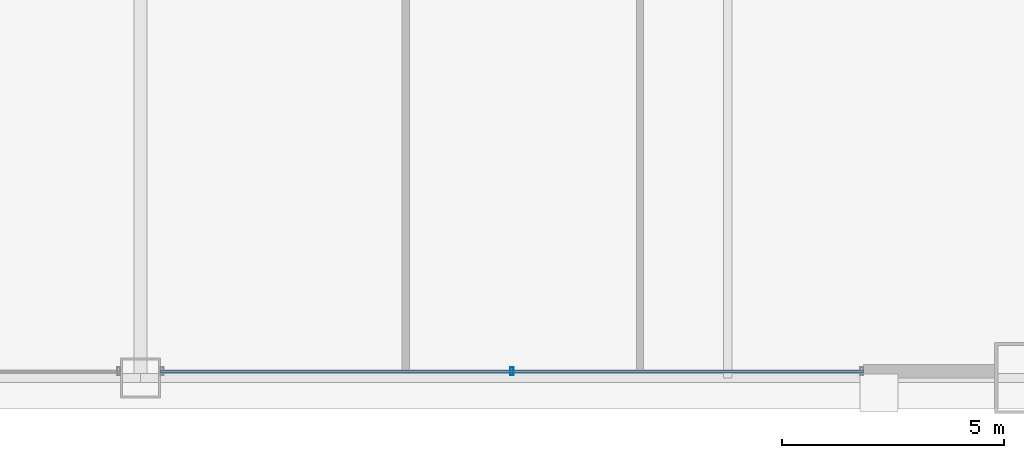
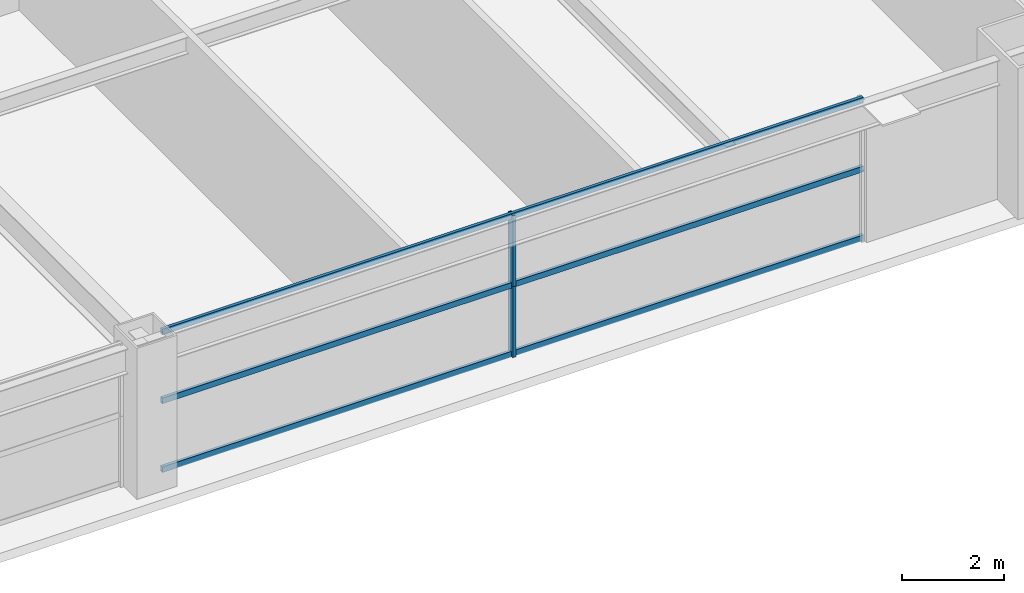
# One storey, part 14 of 39: 5 members, 1 element without a shape of its own.
"""IFC4 building model written with IfcOpenShell, lengths in metres."""

from ifc_helpers import new_model, si_unit, direction, frame, origin, origin_2d, place, context, subcontext, project, spatial, hollow_rectangle, extrude, source, transform, mapped, material, layer, layer_set, material_profile, profile_set, type_object, element, aggregate, save


model = new_model("IFC4")

# Units and contexts
model_context = context("Model", 3, precision=1e-05, world=origin(), true_north=direction((0.0, 1.0)))
body_context = subcontext(model_context, "Body", "Model", "MODEL_VIEW")
ifc_project = project(units=[si_unit("LENGTHUNIT", "METRE"), si_unit("AREAUNIT", "SQUARE_METRE"), si_unit("VOLUMEUNIT", "CUBIC_METRE"), si_unit("PLANEANGLEUNIT", "RADIAN"), si_unit("MASSUNIT", "GRAM", prefix="KILO"), si_unit("THERMODYNAMICTEMPERATUREUNIT", "KELVIN"), si_unit("POWERUNIT", "WATT")], contexts=[model_context])

# Site, building, storey
site_placement = place(None, origin())
site = spatial("IfcSite", under=ifc_project, at=site_placement, CompositionType="ELEMENT")
building_placement = place(site_placement, origin())
building = spatial("IfcBuilding", under=site, at=building_placement, Name="Yuzanri Waterfront Tower", CompositionType="ELEMENT")
storey_placement = place(building_placement, frame((0.0, 0.0, 134.39990234375)))
storey = spatial("IfcBuildingStorey", under=building, at=storey_placement, Name="L35", CompositionType="ELEMENT", Elevation=134.39990234375)

# Curtain wall, members
ifc_material_1 = material(Name="Anodized Architectural Bronze", Category="metal")
ifc_layer = layer(ifc_material_1, 0.159912109375)
ifc_layer_set = layer_set([ifc_layer], Name="Anodized Architectural Bronze")
curtain_wall_type = type_object("IfcCurtainWallType", Name="Anodized Bronze Hotel Upper-Tier Solar-Control Unitized Curtain Wall 7800", PredefinedType="NOTDEFINED", material=ifc_layer_set)
curtain_wall_placement = place(storey_placement, origin())
curtain_wall = element("IfcCurtainWall", 1, at=curtain_wall_placement, inside=storey, type_object=curtain_wall_type, Name="L35 Curtain Wall CW-L35-SR", PredefinedType="NOTDEFINED")
ifc_material_2 = material(Name="Anodized Architectural Bronze", Category="metal")
ifc_material_profile_1 = material_profile(ifc_material_2, hollow_rectangle(XDim=0.070068359375, YDim=0.179931640625, WallThickness=0.00390625, at=origin_2d()), Name="CWM 70x180")
ifc_profile_set_1 = profile_set([ifc_material_profile_1], Name="Anodized Architectural Bronze")
member_type_1 = type_object("IfcMemberType", Name="Anodized Bronze Standard Curtain-Wall Mullion 70x180", PredefinedType="MULLION", material=ifc_profile_set_1)
shared_shape_1 = source(origin(), body_context, "Body", "SweptSolid", [
    extrude(hollow_rectangle(XDim=0.070068359375, YDim=0.179931640625, WallThickness=0.00390625, at=origin_2d()), origin(), (0.0, 0.0, 1.0), 1.68798828125),
])
member_1_placement = place(storey_placement, frame((45.35009765625, 2.35009765625, 0.0), z_axis=(0.0, 0.0, 1.0), x_axis=(1.0, 0.0, 0.0)))
member_1 = element("IfcMember", 2, at=member_1_placement, type_object=member_type_1, Name="CW-L35-SR Lower Mullion 01", PredefinedType="MULLION", context=body_context, shape_type="MappedRepresentation", body=[
    mapped(shared_shape_1, transform((0.0, 0.0, 0.0), scale=1.0)),
])
member_2_placement = place(storey_placement, frame((45.35009765625, 2.35009765625, 1.692138671875), z_axis=(0.0, 0.0, 1.0), x_axis=(1.0, 0.0, 0.0)))
member_2 = element("IfcMember", 3, at=member_2_placement, type_object=member_type_1, Name="CW-L35-SR Upper Mullion 01", PredefinedType="MULLION", context=body_context, shape_type="MappedRepresentation", body=[
    mapped(shared_shape_1, transform((0.0, 0.0, 0.0), scale=1.0)),
])
ifc_material_3 = material(Name="Anodized Architectural Bronze", Category="metal")
ifc_material_profile_2 = material_profile(ifc_material_3, hollow_rectangle(XDim=0.070068359375, YDim=0.135009765625, WallThickness=0.00341796875, at=origin_2d()), Name="CWT 70x135")
ifc_profile_set_2 = profile_set([ifc_material_profile_2], Name="Anodized Architectural Bronze")
member_type_2 = type_object("IfcMemberType", Name="Anodized Bronze Standard Curtain-Wall Transom 70x135", PredefinedType="USERDEFINED", material=ifc_profile_set_2)
shared_shape_2 = source(origin(), body_context, "Body", "SweptSolid", [
    extrude(hollow_rectangle(XDim=0.070068359375, YDim=0.135009765625, WallThickness=0.00341796875, at=origin_2d()), origin(), (0.0, 0.0, 1.0), 15.800048828125),
])
member_3_placement = place(storey_placement, frame((37.449951171875, 2.35009765625, 0.050048828125), z_axis=(1.0, 0.0, 0.0), x_axis=(0.0, 1.0, 0.0)))
member_3 = element("IfcMember", 4, at=member_3_placement, type_object=member_type_2, Name="CW-L35-SR Transom 1", ObjectType="TRANSOM", PredefinedType="USERDEFINED", context=body_context, shape_type="MappedRepresentation", body=[
    mapped(shared_shape_2, transform((0.0, 0.0, 0.0), scale=1.0)),
])
member_4_placement = place(storey_placement, frame((37.449951171875, 2.35009765625, 1.690185546875), z_axis=(1.0, 0.0, 0.0), x_axis=(0.0, 1.0, 0.0)))
member_4 = element("IfcMember", 5, at=member_4_placement, type_object=member_type_2, Name="CW-L35-SR Transom 2", ObjectType="TRANSOM", PredefinedType="USERDEFINED", context=body_context, shape_type="MappedRepresentation", body=[
    mapped(shared_shape_2, transform((0.0, 0.0, 0.0), scale=1.0)),
])
member_5_placement = place(storey_placement, frame((37.449951171875, 2.35009765625, 3.330078125), z_axis=(1.0, 0.0, 0.0), x_axis=(0.0, 1.0, 0.0)))
member_5 = element("IfcMember", 6, at=member_5_placement, type_object=member_type_2, Name="CW-L35-SR Transom 3", ObjectType="TRANSOM", PredefinedType="USERDEFINED", context=body_context, shape_type="MappedRepresentation", body=[
    mapped(shared_shape_2, transform((0.0, 0.0, 0.0), scale=1.0)),
])
aggregate(curtain_wall, [member_1, member_2, member_3, member_4, member_5])

save(model, "model.ifc")
